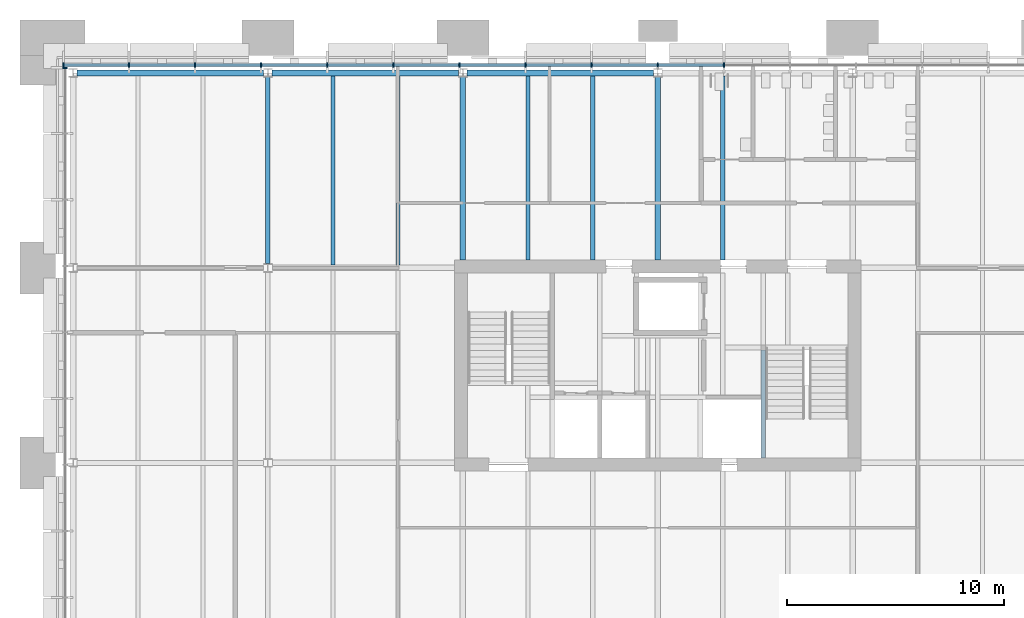
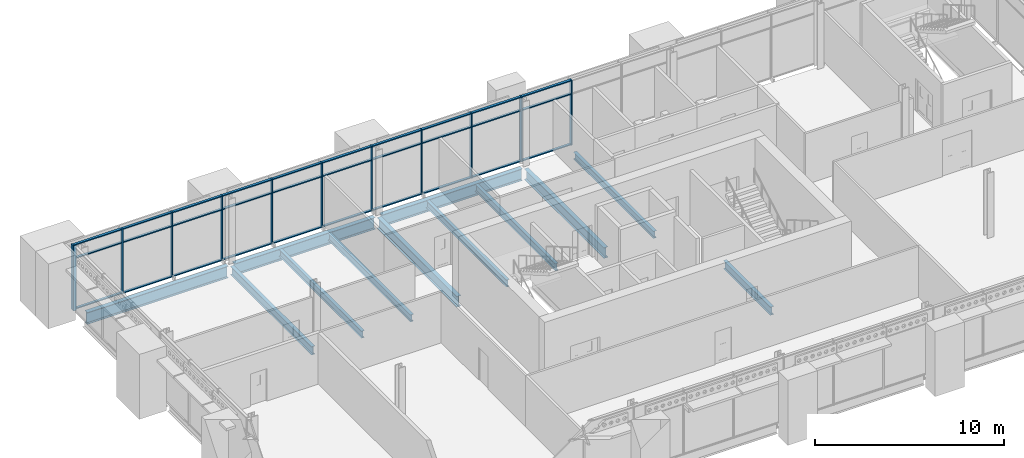
# One storey, part 12 of 54: 42 members, 12 beams, 2 elements without a shape of their own.
"""IFC4 building model written with IfcOpenShell, lengths in metres."""

from ifc_helpers import new_model, si_unit, direction, frame, origin, origin_2d, place, context, subcontext, project, spatial, rectangle, i_section, extrude, material, material_profile, profile_set, type_object, element, aggregate, save


model = new_model("IFC4")

# Units and contexts
model_context = context("Model", 3, precision=1e-05, world=origin(), true_north=direction((0.0, 1.0)))
body_context = subcontext(model_context, "Body", "Model", "MODEL_VIEW")
ifc_project = project(units=[si_unit("LENGTHUNIT", "METRE"), si_unit("AREAUNIT", "SQUARE_METRE"), si_unit("VOLUMEUNIT", "CUBIC_METRE"), si_unit("PLANEANGLEUNIT", "RADIAN"), si_unit("MASSUNIT", "GRAM", prefix="KILO")], contexts=[model_context])

# Site, building, storey
site_placement = place(None, origin())
site = spatial("IfcSite", under=ifc_project, at=site_placement, CompositionType="ELEMENT")
building_placement = place(site_placement, origin())
building = spatial("IfcBuilding", under=site, at=building_placement, Name="Baradari Gate Terminus", CompositionType="ELEMENT")
storey_placement = place(building_placement, frame((0.0, 0.0, 15.89990234375)))
storey = spatial("IfcBuildingStorey", under=building, at=storey_placement, Name="L03", CompositionType="ELEMENT", Elevation=15.89990234375)

# Beam
ifc_material_1 = material(Name="Steel S355", Category="steel")
ifc_material_profile_1 = material_profile(ifc_material_1, i_section(OverallWidth=0.209228515625, OverallDepth=0.533203125, WebThickness=0.010009765625, FlangeThickness=0.015625, FilletRadius=0.0126953125, at=origin_2d()), Name="UB 533x210x92")
ifc_profile_set_1 = profile_set([ifc_material_profile_1], Name="Steel S355")
beam_type_1 = type_object("IfcBeamType", Name="Core floor trimmer beam B22 UB 533x210x92", PredefinedType="BEAM", material=ifc_profile_set_1)
beam_1_placement = place(storey_placement, frame((40.875, 126.22509765625, -0.396484375), z_axis=(0.0, 1.0, 0.0), x_axis=(-1.0, 0.0, 0.0)))
element("IfcBeam", 1, at=beam_1_placement, inside=storey, type_object=beam_type_1, Name="Core floor trimmer beam B22 40.875:126.225-131.22 L03", PredefinedType="BEAM", context=body_context, shape_type="SweptSolid", body=[
    extrude(i_section(OverallWidth=0.209228515625, OverallDepth=0.533203125, WebThickness=0.010009765625, FlangeThickness=0.015625, FilletRadius=0.0126953125, at=origin_2d()), origin(), (0.0, 0.0, 1.0), 4.9951171875),
])

# Curtain wall, members
ifc_material_2 = material(Name="Aluminium 6063-T6", Category="aluminium")
curtain_wall_type = type_object("IfcCurtainWallType", Name="Curtain wall CW-1 block unitised, zone L02-L05", PredefinedType="NOTDEFINED", material=ifc_material_2)
curtain_wall_1_placement = place(storey_placement, origin())
curtain_wall_1 = element("IfcCurtainWall", 2, at=curtain_wall_1_placement, inside=storey, type_object=curtain_wall_type, Name="Curtain wall CW-1 Operations block N face L03", PredefinedType="NOTDEFINED")
ifc_material_3 = material(Name="Aluminium 6063-T6", Category="aluminium")
ifc_material_profile_2 = material_profile(ifc_material_3, rectangle(XDim=0.199951171875, YDim=0.06494140625, at=origin_2d()), Name="CM-1 65X200")
ifc_profile_set_2 = profile_set([ifc_material_profile_2], Name="Aluminium 6063-T6")
member_type_1 = type_object("IfcMemberType", Name="Curtain wall mullion CM-1 65x200", PredefinedType="MULLION", material=ifc_profile_set_2)
member_1_placement = place(storey_placement, frame((8.5625, 144.3701171875, 0.0), z_axis=(0.0, 0.0, 1.0), x_axis=(0.0, 1.0, 0.0)))
member_1 = element("IfcMember", 3, at=member_1_placement, type_object=member_type_1, Name="CW-1 mullion 1", PredefinedType="MULLION", context=body_context, shape_type="SweptSolid", body=[
    extrude(rectangle(XDim=0.199951171875, YDim=0.06494140625, at=origin_2d()), origin(), (0.0, 0.0, 1.0), 4.2001953125),
])
member_2_placement = place(storey_placement, frame((11.582275390625, 144.3701171875, 0.0), z_axis=(0.0, 0.0, 1.0), x_axis=(0.0, 1.0, 0.0)))
member_2 = element("IfcMember", 4, at=member_2_placement, type_object=member_type_1, Name="CW-1 mullion 2", PredefinedType="MULLION", context=body_context, shape_type="SweptSolid", body=[
    extrude(rectangle(XDim=0.199951171875, YDim=0.06494140625, at=origin_2d()), origin(), (0.0, 0.0, 1.0), 4.2001953125),
])
member_3_placement = place(storey_placement, frame((14.634521484375, 144.3701171875, 0.0), z_axis=(0.0, 0.0, 1.0), x_axis=(0.0, 1.0, 0.0)))
member_3 = element("IfcMember", 5, at=member_3_placement, type_object=member_type_1, Name="CW-1 mullion 3", PredefinedType="MULLION", context=body_context, shape_type="SweptSolid", body=[
    extrude(rectangle(XDim=0.199951171875, YDim=0.06494140625, at=origin_2d()), origin(), (0.0, 0.0, 1.0), 4.2001953125),
])
member_4_placement = place(storey_placement, frame((17.686767578125, 144.3701171875, 0.0), z_axis=(0.0, 0.0, 1.0), x_axis=(0.0, 1.0, 0.0)))
member_4 = element("IfcMember", 6, at=member_4_placement, type_object=member_type_1, Name="CW-1 mullion 4", PredefinedType="MULLION", context=body_context, shape_type="SweptSolid", body=[
    extrude(rectangle(XDim=0.199951171875, YDim=0.06494140625, at=origin_2d()), origin(), (0.0, 0.0, 1.0), 4.2001953125),
])
member_5_placement = place(storey_placement, frame((20.73876953125, 144.3701171875, 0.0), z_axis=(0.0, 0.0, 1.0), x_axis=(0.0, 1.0, 0.0)))
member_5 = element("IfcMember", 7, at=member_5_placement, type_object=member_type_1, Name="CW-1 mullion 5", PredefinedType="MULLION", context=body_context, shape_type="SweptSolid", body=[
    extrude(rectangle(XDim=0.199951171875, YDim=0.06494140625, at=origin_2d()), origin(), (0.0, 0.0, 1.0), 4.2001953125),
])
member_6_placement = place(storey_placement, frame((23.791015625, 144.3701171875, 0.0), z_axis=(0.0, 0.0, 1.0), x_axis=(0.0, 1.0, 0.0)))
member_6 = element("IfcMember", 8, at=member_6_placement, type_object=member_type_1, Name="CW-1 mullion 6", PredefinedType="MULLION", context=body_context, shape_type="SweptSolid", body=[
    extrude(rectangle(XDim=0.199951171875, YDim=0.06494140625, at=origin_2d()), origin(), (0.0, 0.0, 1.0), 4.2001953125),
])
member_7_placement = place(storey_placement, frame((26.84326171875, 144.3701171875, 0.0), z_axis=(0.0, 0.0, 1.0), x_axis=(0.0, 1.0, 0.0)))
member_7 = element("IfcMember", 9, at=member_7_placement, type_object=member_type_1, Name="CW-1 mullion 7", PredefinedType="MULLION", context=body_context, shape_type="SweptSolid", body=[
    extrude(rectangle(XDim=0.199951171875, YDim=0.06494140625, at=origin_2d()), origin(), (0.0, 0.0, 1.0), 4.2001953125),
])
member_8_placement = place(storey_placement, frame((29.8955078125, 144.3701171875, 0.0), z_axis=(0.0, 0.0, 1.0), x_axis=(0.0, 1.0, 0.0)))
member_8 = element("IfcMember", 10, at=member_8_placement, type_object=member_type_1, Name="CW-1 mullion 8", PredefinedType="MULLION", context=body_context, shape_type="SweptSolid", body=[
    extrude(rectangle(XDim=0.199951171875, YDim=0.06494140625, at=origin_2d()), origin(), (0.0, 0.0, 1.0), 4.2001953125),
])
member_9_placement = place(storey_placement, frame((32.94775390625, 144.3701171875, 0.0), z_axis=(0.0, 0.0, 1.0), x_axis=(0.0, 1.0, 0.0)))
member_9 = element("IfcMember", 11, at=member_9_placement, type_object=member_type_1, Name="CW-1 mullion 9", PredefinedType="MULLION", context=body_context, shape_type="SweptSolid", body=[
    extrude(rectangle(XDim=0.199951171875, YDim=0.06494140625, at=origin_2d()), origin(), (0.0, 0.0, 1.0), 4.2001953125),
])
member_10_placement = place(storey_placement, frame((36.0, 144.3701171875, 0.0), z_axis=(0.0, 0.0, 1.0), x_axis=(0.0, 1.0, 0.0)))
member_10 = element("IfcMember", 12, at=member_10_placement, type_object=member_type_1, Name="CW-1 mullion 10", PredefinedType="MULLION", context=body_context, shape_type="SweptSolid", body=[
    extrude(rectangle(XDim=0.199951171875, YDim=0.06494140625, at=origin_2d()), origin(), (0.0, 0.0, 1.0), 4.2001953125),
])
member_11_placement = place(storey_placement, frame((39.05224609375, 144.3701171875, 0.0), z_axis=(0.0, 0.0, 1.0), x_axis=(0.0, 1.0, 0.0)))
member_11 = element("IfcMember", 13, at=member_11_placement, type_object=member_type_1, Name="CW-1 mullion 11", PredefinedType="MULLION", context=body_context, shape_type="SweptSolid", body=[
    extrude(rectangle(XDim=0.199951171875, YDim=0.06494140625, at=origin_2d()), origin(), (0.0, 0.0, 1.0), 4.2001953125),
])

# Curtain wall, member
curtain_wall_2_placement = place(storey_placement, origin())
curtain_wall_2 = element("IfcCurtainWall", 14, at=curtain_wall_2_placement, inside=storey, type_object=curtain_wall_type, Name="Curtain wall CW-1 Operations block W face L03", PredefinedType="NOTDEFINED")
member_12_placement = place(storey_placement, frame((8.6298828125, 144.237548828125, 0.0), z_axis=(0.0, 0.0, 1.0), x_axis=(-1.0, 0.0, 0.0)))
member_12 = element("IfcMember", 15, at=member_12_placement, type_object=member_type_1, Name="CW-1 mullion 10", PredefinedType="MULLION", context=body_context, shape_type="SweptSolid", body=[
    extrude(rectangle(XDim=0.199951171875, YDim=0.06494140625, at=origin_2d()), origin(), (0.0, 0.0, 1.0), 4.2001953125),
])
aggregate(curtain_wall_2, [member_12])

# Member
ifc_material_4 = material(Name="Aluminium 6063-T6", Category="aluminium")
ifc_material_profile_3 = material_profile(ifc_material_4, rectangle(XDim=0.14990234375, YDim=0.06494140625, at=origin_2d()), Name="CT-1 65X150")
ifc_profile_set_3 = profile_set([ifc_material_profile_3], Name="Aluminium 6063-T6")
member_type_2 = type_object("IfcMemberType", Name="Curtain wall transom CT-1 65x150", PredefinedType="USERDEFINED", material=ifc_profile_set_3)
member_13_placement = place(storey_placement, frame((8.594970703125, 144.3701171875, 0.03271484375), z_axis=(1.0, 0.0, 0.0), x_axis=(0.0, 1.0, 0.0)))
member_13 = element("IfcMember", 16, at=member_13_placement, type_object=member_type_2, Name="CW-1 transom 1.1", ObjectType="TRANSOM", PredefinedType="USERDEFINED", context=body_context, shape_type="SweptSolid", body=[
    extrude(rectangle(XDim=0.14990234375, YDim=0.06494140625, at=origin_2d()), origin(), (0.0, 0.0, 1.0), 2.954833984375),
])

member_14_placement = place(storey_placement, frame((8.594970703125, 144.3701171875, 3.300048828125), z_axis=(1.0, 0.0, 0.0), x_axis=(0.0, 1.0, 0.0)))
member_14 = element("IfcMember", 17, at=member_14_placement, type_object=member_type_2, Name="CW-1 transom 1.2", ObjectType="TRANSOM", PredefinedType="USERDEFINED", context=body_context, shape_type="SweptSolid", body=[
    extrude(rectangle(XDim=0.14990234375, YDim=0.06494140625, at=origin_2d()), origin(), (0.0, 0.0, 1.0), 2.954833984375),
])

member_15_placement = place(storey_placement, frame((8.594970703125, 144.3701171875, 4.16748046875), z_axis=(1.0, 0.0, 0.0), x_axis=(0.0, 1.0, 0.0)))
member_15 = element("IfcMember", 18, at=member_15_placement, type_object=member_type_2, Name="CW-1 transom 1.3", ObjectType="TRANSOM", PredefinedType="USERDEFINED", context=body_context, shape_type="SweptSolid", body=[
    extrude(rectangle(XDim=0.14990234375, YDim=0.06494140625, at=origin_2d()), origin(), (0.0, 0.0, 1.0), 2.954833984375),
])

member_16_placement = place(storey_placement, frame((11.61474609375, 144.3701171875, 0.03271484375), z_axis=(1.0, 0.0, 0.0), x_axis=(0.0, 1.0, 0.0)))
member_16 = element("IfcMember", 19, at=member_16_placement, type_object=member_type_2, Name="CW-1 transom 2.1", ObjectType="TRANSOM", PredefinedType="USERDEFINED", context=body_context, shape_type="SweptSolid", body=[
    extrude(rectangle(XDim=0.14990234375, YDim=0.06494140625, at=origin_2d()), origin(), (0.0, 0.0, 1.0), 2.9873046875),
])

member_17_placement = place(storey_placement, frame((11.61474609375, 144.3701171875, 3.300048828125), z_axis=(1.0, 0.0, 0.0), x_axis=(0.0, 1.0, 0.0)))
member_17 = element("IfcMember", 20, at=member_17_placement, type_object=member_type_2, Name="CW-1 transom 2.2", ObjectType="TRANSOM", PredefinedType="USERDEFINED", context=body_context, shape_type="SweptSolid", body=[
    extrude(rectangle(XDim=0.14990234375, YDim=0.06494140625, at=origin_2d()), origin(), (0.0, 0.0, 1.0), 2.9873046875),
])

member_18_placement = place(storey_placement, frame((11.61474609375, 144.3701171875, 4.16748046875), z_axis=(1.0, 0.0, 0.0), x_axis=(0.0, 1.0, 0.0)))
member_18 = element("IfcMember", 21, at=member_18_placement, type_object=member_type_2, Name="CW-1 transom 2.3", ObjectType="TRANSOM", PredefinedType="USERDEFINED", context=body_context, shape_type="SweptSolid", body=[
    extrude(rectangle(XDim=0.14990234375, YDim=0.06494140625, at=origin_2d()), origin(), (0.0, 0.0, 1.0), 2.9873046875),
])

member_19_placement = place(storey_placement, frame((14.6669921875, 144.3701171875, 0.03271484375), z_axis=(1.0, 0.0, 0.0), x_axis=(0.0, 1.0, 0.0)))
member_19 = element("IfcMember", 22, at=member_19_placement, type_object=member_type_2, Name="CW-1 transom 3.1", ObjectType="TRANSOM", PredefinedType="USERDEFINED", context=body_context, shape_type="SweptSolid", body=[
    extrude(rectangle(XDim=0.14990234375, YDim=0.06494140625, at=origin_2d()), origin(), (0.0, 0.0, 1.0), 2.987060546875),
])

member_20_placement = place(storey_placement, frame((14.6669921875, 144.3701171875, 3.300048828125), z_axis=(1.0, 0.0, 0.0), x_axis=(0.0, 1.0, 0.0)))
member_20 = element("IfcMember", 23, at=member_20_placement, type_object=member_type_2, Name="CW-1 transom 3.2", ObjectType="TRANSOM", PredefinedType="USERDEFINED", context=body_context, shape_type="SweptSolid", body=[
    extrude(rectangle(XDim=0.14990234375, YDim=0.06494140625, at=origin_2d()), origin(), (0.0, 0.0, 1.0), 2.987060546875),
])

member_21_placement = place(storey_placement, frame((14.6669921875, 144.3701171875, 4.16748046875), z_axis=(1.0, 0.0, 0.0), x_axis=(0.0, 1.0, 0.0)))
member_21 = element("IfcMember", 24, at=member_21_placement, type_object=member_type_2, Name="CW-1 transom 3.3", ObjectType="TRANSOM", PredefinedType="USERDEFINED", context=body_context, shape_type="SweptSolid", body=[
    extrude(rectangle(XDim=0.14990234375, YDim=0.06494140625, at=origin_2d()), origin(), (0.0, 0.0, 1.0), 2.987060546875),
])

member_22_placement = place(storey_placement, frame((17.71923828125, 144.3701171875, 0.03271484375), z_axis=(1.0, 0.0, 0.0), x_axis=(0.0, 1.0, 0.0)))
member_22 = element("IfcMember", 25, at=member_22_placement, type_object=member_type_2, Name="CW-1 transom 4.1", ObjectType="TRANSOM", PredefinedType="USERDEFINED", context=body_context, shape_type="SweptSolid", body=[
    extrude(rectangle(XDim=0.14990234375, YDim=0.06494140625, at=origin_2d()), origin(), (0.0, 0.0, 1.0), 2.987060546875),
])

member_23_placement = place(storey_placement, frame((17.71923828125, 144.3701171875, 3.300048828125), z_axis=(1.0, 0.0, 0.0), x_axis=(0.0, 1.0, 0.0)))
member_23 = element("IfcMember", 26, at=member_23_placement, type_object=member_type_2, Name="CW-1 transom 4.2", ObjectType="TRANSOM", PredefinedType="USERDEFINED", context=body_context, shape_type="SweptSolid", body=[
    extrude(rectangle(XDim=0.14990234375, YDim=0.06494140625, at=origin_2d()), origin(), (0.0, 0.0, 1.0), 2.987060546875),
])

member_24_placement = place(storey_placement, frame((17.71923828125, 144.3701171875, 4.16748046875), z_axis=(1.0, 0.0, 0.0), x_axis=(0.0, 1.0, 0.0)))
member_24 = element("IfcMember", 27, at=member_24_placement, type_object=member_type_2, Name="CW-1 transom 4.3", ObjectType="TRANSOM", PredefinedType="USERDEFINED", context=body_context, shape_type="SweptSolid", body=[
    extrude(rectangle(XDim=0.14990234375, YDim=0.06494140625, at=origin_2d()), origin(), (0.0, 0.0, 1.0), 2.987060546875),
])

member_25_placement = place(storey_placement, frame((20.771484375, 144.3701171875, 0.03271484375), z_axis=(1.0, 0.0, 0.0), x_axis=(0.0, 1.0, 0.0)))
member_25 = element("IfcMember", 28, at=member_25_placement, type_object=member_type_2, Name="CW-1 transom 5.1", ObjectType="TRANSOM", PredefinedType="USERDEFINED", context=body_context, shape_type="SweptSolid", body=[
    extrude(rectangle(XDim=0.14990234375, YDim=0.06494140625, at=origin_2d()), origin(), (0.0, 0.0, 1.0), 2.987060546875),
])

member_26_placement = place(storey_placement, frame((20.771484375, 144.3701171875, 3.300048828125), z_axis=(1.0, 0.0, 0.0), x_axis=(0.0, 1.0, 0.0)))
member_26 = element("IfcMember", 29, at=member_26_placement, type_object=member_type_2, Name="CW-1 transom 5.2", ObjectType="TRANSOM", PredefinedType="USERDEFINED", context=body_context, shape_type="SweptSolid", body=[
    extrude(rectangle(XDim=0.14990234375, YDim=0.06494140625, at=origin_2d()), origin(), (0.0, 0.0, 1.0), 2.987060546875),
])

member_27_placement = place(storey_placement, frame((20.771484375, 144.3701171875, 4.16748046875), z_axis=(1.0, 0.0, 0.0), x_axis=(0.0, 1.0, 0.0)))
member_27 = element("IfcMember", 30, at=member_27_placement, type_object=member_type_2, Name="CW-1 transom 5.3", ObjectType="TRANSOM", PredefinedType="USERDEFINED", context=body_context, shape_type="SweptSolid", body=[
    extrude(rectangle(XDim=0.14990234375, YDim=0.06494140625, at=origin_2d()), origin(), (0.0, 0.0, 1.0), 2.987060546875),
])

member_28_placement = place(storey_placement, frame((23.82373046875, 144.3701171875, 0.03271484375), z_axis=(1.0, 0.0, 0.0), x_axis=(0.0, 1.0, 0.0)))
member_28 = element("IfcMember", 31, at=member_28_placement, type_object=member_type_2, Name="CW-1 transom 6.1", ObjectType="TRANSOM", PredefinedType="USERDEFINED", context=body_context, shape_type="SweptSolid", body=[
    extrude(rectangle(XDim=0.14990234375, YDim=0.06494140625, at=origin_2d()), origin(), (0.0, 0.0, 1.0), 2.987060546875),
])

member_29_placement = place(storey_placement, frame((23.82373046875, 144.3701171875, 3.300048828125), z_axis=(1.0, 0.0, 0.0), x_axis=(0.0, 1.0, 0.0)))
member_29 = element("IfcMember", 32, at=member_29_placement, type_object=member_type_2, Name="CW-1 transom 6.2", ObjectType="TRANSOM", PredefinedType="USERDEFINED", context=body_context, shape_type="SweptSolid", body=[
    extrude(rectangle(XDim=0.14990234375, YDim=0.06494140625, at=origin_2d()), origin(), (0.0, 0.0, 1.0), 2.987060546875),
])

member_30_placement = place(storey_placement, frame((23.82373046875, 144.3701171875, 4.16748046875), z_axis=(1.0, 0.0, 0.0), x_axis=(0.0, 1.0, 0.0)))
member_30 = element("IfcMember", 33, at=member_30_placement, type_object=member_type_2, Name="CW-1 transom 6.3", ObjectType="TRANSOM", PredefinedType="USERDEFINED", context=body_context, shape_type="SweptSolid", body=[
    extrude(rectangle(XDim=0.14990234375, YDim=0.06494140625, at=origin_2d()), origin(), (0.0, 0.0, 1.0), 2.987060546875),
])

member_31_placement = place(storey_placement, frame((26.875732421875, 144.3701171875, 0.03271484375), z_axis=(1.0, 0.0, 0.0), x_axis=(0.0, 1.0, 0.0)))
member_31 = element("IfcMember", 34, at=member_31_placement, type_object=member_type_2, Name="CW-1 transom 7.1", ObjectType="TRANSOM", PredefinedType="USERDEFINED", context=body_context, shape_type="SweptSolid", body=[
    extrude(rectangle(XDim=0.14990234375, YDim=0.06494140625, at=origin_2d()), origin(), (0.0, 0.0, 1.0), 2.9873046875),
])

member_32_placement = place(storey_placement, frame((26.875732421875, 144.3701171875, 3.300048828125), z_axis=(1.0, 0.0, 0.0), x_axis=(0.0, 1.0, 0.0)))
member_32 = element("IfcMember", 35, at=member_32_placement, type_object=member_type_2, Name="CW-1 transom 7.2", ObjectType="TRANSOM", PredefinedType="USERDEFINED", context=body_context, shape_type="SweptSolid", body=[
    extrude(rectangle(XDim=0.14990234375, YDim=0.06494140625, at=origin_2d()), origin(), (0.0, 0.0, 1.0), 2.9873046875),
])

member_33_placement = place(storey_placement, frame((26.875732421875, 144.3701171875, 4.16748046875), z_axis=(1.0, 0.0, 0.0), x_axis=(0.0, 1.0, 0.0)))
member_33 = element("IfcMember", 36, at=member_33_placement, type_object=member_type_2, Name="CW-1 transom 7.3", ObjectType="TRANSOM", PredefinedType="USERDEFINED", context=body_context, shape_type="SweptSolid", body=[
    extrude(rectangle(XDim=0.14990234375, YDim=0.06494140625, at=origin_2d()), origin(), (0.0, 0.0, 1.0), 2.9873046875),
])

member_34_placement = place(storey_placement, frame((29.927978515625, 144.3701171875, 0.03271484375), z_axis=(1.0, 0.0, 0.0), x_axis=(0.0, 1.0, 0.0)))
member_34 = element("IfcMember", 37, at=member_34_placement, type_object=member_type_2, Name="CW-1 transom 8.1", ObjectType="TRANSOM", PredefinedType="USERDEFINED", context=body_context, shape_type="SweptSolid", body=[
    extrude(rectangle(XDim=0.14990234375, YDim=0.06494140625, at=origin_2d()), origin(), (0.0, 0.0, 1.0), 2.9873046875),
])

member_35_placement = place(storey_placement, frame((29.927978515625, 144.3701171875, 3.300048828125), z_axis=(1.0, 0.0, 0.0), x_axis=(0.0, 1.0, 0.0)))
member_35 = element("IfcMember", 38, at=member_35_placement, type_object=member_type_2, Name="CW-1 transom 8.2", ObjectType="TRANSOM", PredefinedType="USERDEFINED", context=body_context, shape_type="SweptSolid", body=[
    extrude(rectangle(XDim=0.14990234375, YDim=0.06494140625, at=origin_2d()), origin(), (0.0, 0.0, 1.0), 2.9873046875),
])

member_36_placement = place(storey_placement, frame((29.927978515625, 144.3701171875, 4.16748046875), z_axis=(1.0, 0.0, 0.0), x_axis=(0.0, 1.0, 0.0)))
member_36 = element("IfcMember", 39, at=member_36_placement, type_object=member_type_2, Name="CW-1 transom 8.3", ObjectType="TRANSOM", PredefinedType="USERDEFINED", context=body_context, shape_type="SweptSolid", body=[
    extrude(rectangle(XDim=0.14990234375, YDim=0.06494140625, at=origin_2d()), origin(), (0.0, 0.0, 1.0), 2.9873046875),
])

member_37_placement = place(storey_placement, frame((32.980224609375, 144.3701171875, 0.03271484375), z_axis=(1.0, 0.0, 0.0), x_axis=(0.0, 1.0, 0.0)))
member_37 = element("IfcMember", 40, at=member_37_placement, type_object=member_type_2, Name="CW-1 transom 9.1", ObjectType="TRANSOM", PredefinedType="USERDEFINED", context=body_context, shape_type="SweptSolid", body=[
    extrude(rectangle(XDim=0.14990234375, YDim=0.06494140625, at=origin_2d()), origin(), (0.0, 0.0, 1.0), 2.9873046875),
])

member_38_placement = place(storey_placement, frame((32.980224609375, 144.3701171875, 3.300048828125), z_axis=(1.0, 0.0, 0.0), x_axis=(0.0, 1.0, 0.0)))
member_38 = element("IfcMember", 41, at=member_38_placement, type_object=member_type_2, Name="CW-1 transom 9.2", ObjectType="TRANSOM", PredefinedType="USERDEFINED", context=body_context, shape_type="SweptSolid", body=[
    extrude(rectangle(XDim=0.14990234375, YDim=0.06494140625, at=origin_2d()), origin(), (0.0, 0.0, 1.0), 2.9873046875),
])

member_39_placement = place(storey_placement, frame((32.980224609375, 144.3701171875, 4.16748046875), z_axis=(1.0, 0.0, 0.0), x_axis=(0.0, 1.0, 0.0)))
member_39 = element("IfcMember", 42, at=member_39_placement, type_object=member_type_2, Name="CW-1 transom 9.3", ObjectType="TRANSOM", PredefinedType="USERDEFINED", context=body_context, shape_type="SweptSolid", body=[
    extrude(rectangle(XDim=0.14990234375, YDim=0.06494140625, at=origin_2d()), origin(), (0.0, 0.0, 1.0), 2.9873046875),
])

member_40_placement = place(storey_placement, frame((36.032470703125, 144.3701171875, 0.03271484375), z_axis=(1.0, 0.0, 0.0), x_axis=(0.0, 1.0, 0.0)))
member_40 = element("IfcMember", 43, at=member_40_placement, type_object=member_type_2, Name="CW-1 transom 10.1", ObjectType="TRANSOM", PredefinedType="USERDEFINED", context=body_context, shape_type="SweptSolid", body=[
    extrude(rectangle(XDim=0.14990234375, YDim=0.06494140625, at=origin_2d()), origin(), (0.0, 0.0, 1.0), 2.9873046875),
])

member_41_placement = place(storey_placement, frame((36.032470703125, 144.3701171875, 3.300048828125), z_axis=(1.0, 0.0, 0.0), x_axis=(0.0, 1.0, 0.0)))
member_41 = element("IfcMember", 44, at=member_41_placement, type_object=member_type_2, Name="CW-1 transom 10.2", ObjectType="TRANSOM", PredefinedType="USERDEFINED", context=body_context, shape_type="SweptSolid", body=[
    extrude(rectangle(XDim=0.14990234375, YDim=0.06494140625, at=origin_2d()), origin(), (0.0, 0.0, 1.0), 2.9873046875),
])

member_42_placement = place(storey_placement, frame((36.032470703125, 144.3701171875, 4.16748046875), z_axis=(1.0, 0.0, 0.0), x_axis=(0.0, 1.0, 0.0)))
member_42 = element("IfcMember", 45, at=member_42_placement, type_object=member_type_2, Name="CW-1 transom 10.3", ObjectType="TRANSOM", PredefinedType="USERDEFINED", context=body_context, shape_type="SweptSolid", body=[
    extrude(rectangle(XDim=0.14990234375, YDim=0.06494140625, at=origin_2d()), origin(), (0.0, 0.0, 1.0), 2.9873046875),
])

aggregate(curtain_wall_1, [member_1, member_2, member_3, member_4, member_5, member_6, member_7, member_8, member_9, member_10, member_11, member_13, member_14, member_15, member_16, member_17, member_18, member_19, member_20, member_21, member_22, member_23, member_24, member_25, member_26, member_27, member_28, member_29, member_30, member_31, member_32, member_33, member_34, member_35, member_36, member_37, member_38, member_39, member_40, member_41, member_42])

# Beams
ifc_material_5 = material(Name="Steel S355", Category="steel")
ifc_material_profile_4 = material_profile(ifc_material_5, i_section(OverallWidth=0.25439453125, OverallDepth=0.6875, WebThickness=0.01318359375, FlangeThickness=0.02099609375, FilletRadius=0.01513671875, at=origin_2d()), Name="UB 686x254x152")
ifc_profile_set_4 = profile_set([ifc_material_profile_4], Name="Steel S355")
beam_type_2 = type_object("IfcBeamType", Name="Operations block coupling beam B26 UB 686x254x152", PredefinedType="BEAM", material=ifc_profile_set_4)
for number, where, z_axis, x_axis, name in (
    (46, (27.0, 135.375, -0.4736328125), (0.0, 1.0, 0.0), (-1.0, 0.0, 0.0), "Operations block coupling beam B26 4:135.375-143.81 L03"),
    (47, (36.0, 135.375, -0.4736328125), (0.0, 1.0, 0.0), (-1.0, 0.0, 0.0), "Operations block coupling beam B26 5:135.375-143.81 L03"),
):
    element("IfcBeam", number, at=place(storey_placement, frame(where, z_axis=z_axis, x_axis=x_axis)), inside=storey, type_object=beam_type_2, Name=name, PredefinedType="BEAM", context=body_context, shape_type="SweptSolid", body=[
        extrude(i_section(OverallWidth=0.25439453125, OverallDepth=0.6875, WebThickness=0.01318359375, FlangeThickness=0.02099609375, FilletRadius=0.01513671875, at=origin_2d()), origin(), (0.0, 0.0, 1.0), 8.4345703125),
    ])
ifc_material_6 = material(Name="Steel S355", Category="steel")
ifc_material_profile_5 = material_profile(ifc_material_6, i_section(OverallWidth=0.210693359375, OverallDepth=0.53955078125, WebThickness=0.01171875, FlangeThickness=0.018798828125, FilletRadius=0.0126953125, at=origin_2d()), Name="UB 533x210x109")
ifc_profile_set_5 = profile_set([ifc_material_profile_5], Name="Steel S355")
beam_type_3 = type_object("IfcBeamType", Name="Operations block girder B29 UB 533x210x109", PredefinedType="BEAM", material=ifc_profile_set_5)
beam_2_placement = place(storey_placement, frame((18.0, 135.203125, -0.399658203125), z_axis=(0.0, 1.0, 0.0), x_axis=(-1.0, 0.0, 0.0)))
element("IfcBeam", 48, at=beam_2_placement, inside=storey, type_object=beam_type_3, Name="Operations block girder B29 3:135.203-143.81 L03", PredefinedType="BEAM", context=body_context, shape_type="SweptSolid", body=[
    extrude(i_section(OverallWidth=0.210693359375, OverallDepth=0.53955078125, WebThickness=0.01171875, FlangeThickness=0.018798828125, FilletRadius=0.0126953125, at=origin_2d()), origin(), (0.0, 0.0, 1.0), 8.6064453125),
])
ifc_material_7 = material(Name="Steel S355", Category="steel")
ifc_material_profile_6 = material_profile(ifc_material_7, i_section(OverallWidth=0.2666015625, OverallDepth=0.76220703125, WebThickness=0.014404296875, FlangeThickness=0.021484375, FilletRadius=0.0166015625, at=origin_2d()), Name="UB 762x267x173")
ifc_profile_set_6 = profile_set([ifc_material_profile_6], Name="Steel S355")
beam_type_4 = type_object("IfcBeamType", Name="Operations block moment frame beam B24 UB 762x267x173", PredefinedType="BEAM", material=ifc_profile_set_6)
for number, where, z_axis, x_axis, name in (
    (49, (9.197509765625, 144.0, -0.510986328125), (1.0, 0.0, 0.0), (0.0, 1.0, 0.0), "Operations block moment frame beam B24 S:9.197-17.803 L03"),
    (50, (18.197509765625, 144.0, -0.510986328125), (1.0, 0.0, 0.0), (0.0, 1.0, 0.0), "Operations block moment frame beam B24 S:18.197-26.803 L03"),
    (51, (27.197509765625, 144.0, -0.510986328125), (1.0, 0.0, 0.0), (0.0, 1.0, 0.0), "Operations block moment frame beam B24 S:27.197-35.803 L03"),
):
    element("IfcBeam", number, at=place(storey_placement, frame(where, z_axis=z_axis, x_axis=x_axis)), inside=storey, type_object=beam_type_4, Name=name, PredefinedType="BEAM", context=body_context, shape_type="SweptSolid", body=[
        extrude(i_section(OverallWidth=0.2666015625, OverallDepth=0.76220703125, WebThickness=0.014404296875, FlangeThickness=0.021484375, FilletRadius=0.0166015625, at=origin_2d()), origin(), (0.0, 0.0, 1.0), 8.60498046875),
    ])
ifc_material_8 = material(Name="Steel S355", Category="steel")
ifc_material_profile_7 = material_profile(ifc_material_8, i_section(OverallWidth=0.18994140625, OverallDepth=0.453369140625, WebThickness=0.008544921875, FlangeThickness=0.0126953125, FilletRadius=0.01025390625, at=origin_2d()), Name="UB 457x191x67")
ifc_profile_set_7 = profile_set([ifc_material_profile_7], Name="Steel S355")
beam_type_5 = type_object("IfcBeamType", Name="Operations block secondary beam B28 UB 457x191x67", PredefinedType="BEAM", material=ifc_profile_set_7)
for number, where, z_axis, x_axis, name in (
    (52, (21.0, 135.127197265625, -0.356689453125), (0.0, 1.0, 0.0), (-1.0, 0.0, 0.0), "Operations block secondary beam B28 21:135.127-143.867 L03"),
    (53, (24.0, 135.127197265625, -0.356689453125), (0.0, 1.0, 0.0), (-1.0, 0.0, 0.0), "Operations block secondary beam B28 24:135.127-143.867 L03"),
):
    element("IfcBeam", number, at=place(storey_placement, frame(where, z_axis=z_axis, x_axis=x_axis)), inside=storey, type_object=beam_type_5, Name=name, PredefinedType="BEAM", context=body_context, shape_type="SweptSolid", body=[
        extrude(i_section(OverallWidth=0.18994140625, OverallDepth=0.453369140625, WebThickness=0.008544921875, FlangeThickness=0.0126953125, FilletRadius=0.01025390625, at=origin_2d()), origin(), (0.0, 0.0, 1.0), 8.739501953125),
    ])
for number, where, z_axis, x_axis, name in (
    (54, (30.0, 135.375, -0.356689453125), (0.0, 1.0, 0.0), (-1.0, 0.0, 0.0), "Operations block secondary beam B28 30:135.375-143.867 L03"),
    (55, (33.0, 135.375, -0.356689453125), (0.0, 1.0, 0.0), (-1.0, 0.0, 0.0), "Operations block secondary beam B28 33:135.375-143.867 L03"),
    (56, (39.0, 135.375, -0.356689453125), (0.0, 1.0, 0.0), (-1.0, 0.0, 0.0), "Operations block secondary beam B28 39:135.375-143.867 L03"),
):
    element("IfcBeam", number, at=place(storey_placement, frame(where, z_axis=z_axis, x_axis=x_axis)), inside=storey, type_object=beam_type_5, Name=name, PredefinedType="BEAM", context=body_context, shape_type="SweptSolid", body=[
        extrude(i_section(OverallWidth=0.18994140625, OverallDepth=0.453369140625, WebThickness=0.008544921875, FlangeThickness=0.0126953125, FilletRadius=0.01025390625, at=origin_2d()), origin(), (0.0, 0.0, 1.0), 8.49169921875),
    ])

save(model, "model.ifc")
